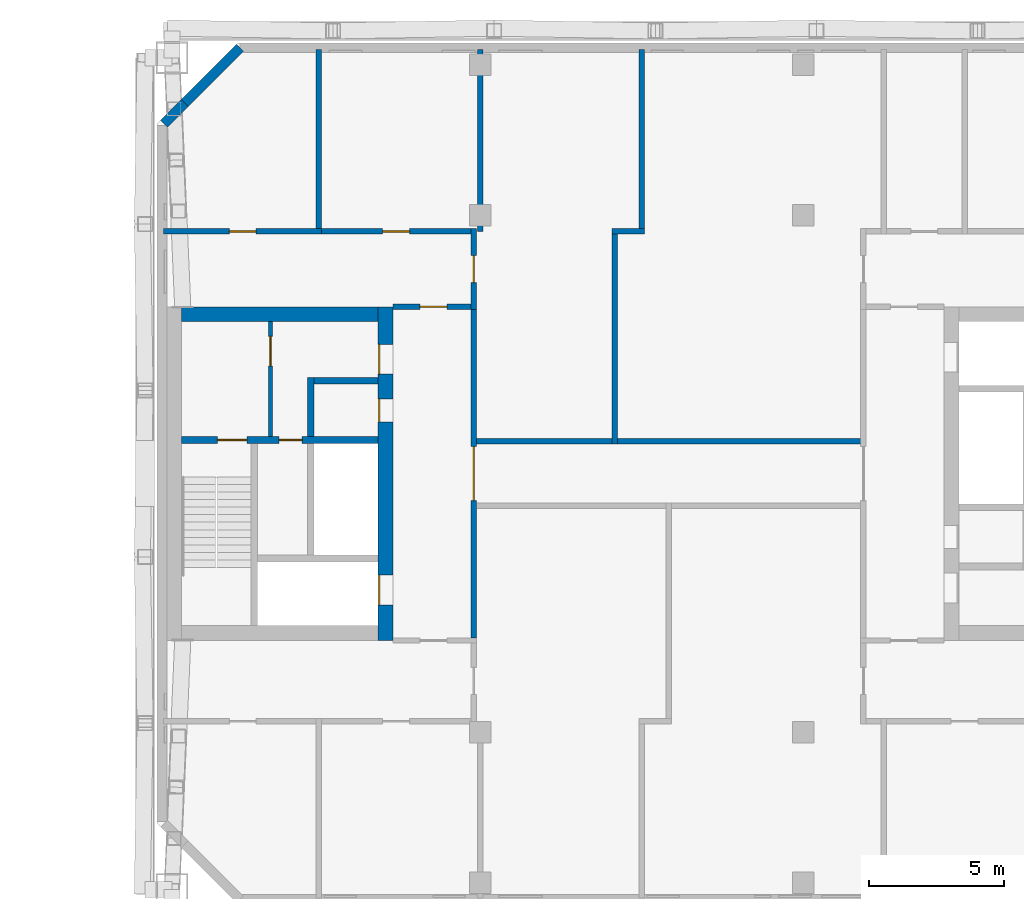
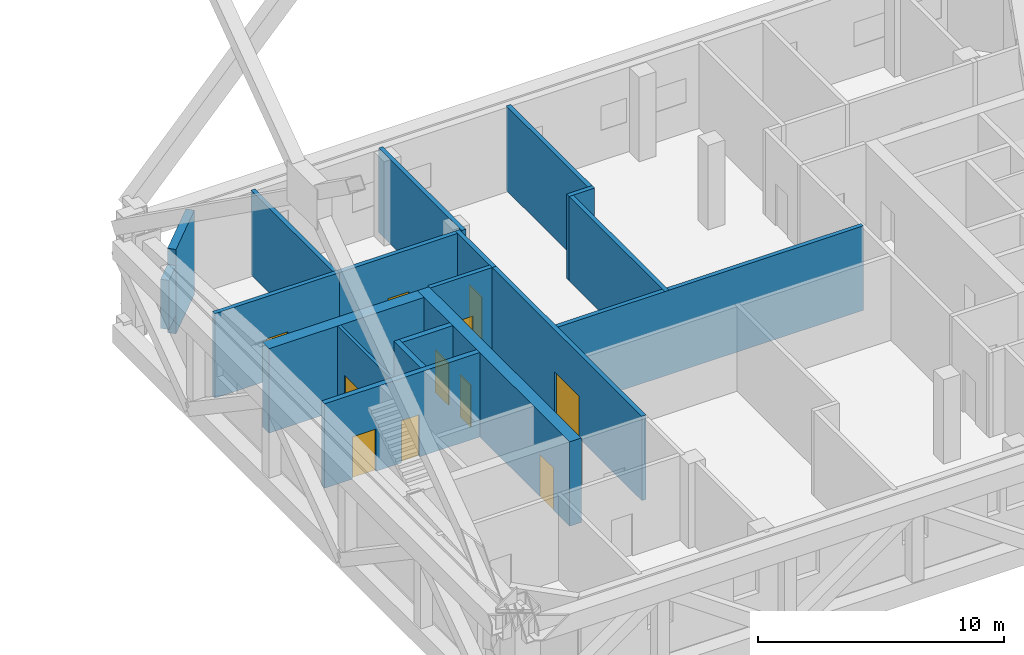
# One storey, part 13 of 22: 19 walls, 11 doors, 11 openings.
"""IFC4 building model written with IfcOpenShell, lengths in metres."""

from ifc_helpers import new_model, si_unit, direction, frame, frame_2d, origin, place, context, subcontext, project, spatial, rectangle, extrude, material, layer, layer_set, type_object, element, fill, save


model = new_model("IFC4")

# Units and contexts
model_context = context("Model", 3, precision=1e-05, world=origin(), true_north=direction((0.0, 1.0)))
body_context = subcontext(model_context, "Body", "Model", "MODEL_VIEW")
ifc_project = project(units=[si_unit("LENGTHUNIT", "METRE"), si_unit("AREAUNIT", "SQUARE_METRE"), si_unit("VOLUMEUNIT", "CUBIC_METRE"), si_unit("PLANEANGLEUNIT", "RADIAN"), si_unit("MASSUNIT", "GRAM", prefix="KILO")], contexts=[model_context])

# Site, building, storey
site_placement = place(None, origin())
site = spatial("IfcSite", under=ifc_project, at=site_placement, CompositionType="ELEMENT")
building_placement = place(site_placement, origin())
building = spatial("IfcBuilding", under=site, at=building_placement, Name="Tuart Gate Housing", CompositionType="ELEMENT")
storey_placement = place(building_placement, frame((0.0, 0.0, 115.0)))
storey = spatial("IfcBuildingStorey", under=building, at=storey_placement, Name="L32", CompositionType="ELEMENT", Elevation=115.0)

# Walls
ifc_material_1 = material(Name="Brick", Category="masonry")
ifc_layer_1 = layer(ifc_material_1, 0.360107421875)
ifc_layer_set_1 = layer_set([ifc_layer_1], Name="Brick pier and spandrel wall 360")
wall_type_1 = type_object("IfcWallType", Name="Brick pier and spandrel wall 360", PredefinedType="STANDARD", material=ifc_layer_set_1)
wall_1_placement = place(storey_placement, frame((134.07470703125, 85.820068359375, 0.0), z_axis=(0.0, 0.0, 1.0), x_axis=(-0.707148882153, -0.707064677713, 0.0)))
element("IfcWall", 1, at=wall_1_placement, inside=storey, type_object=wall_type_1, Name="External wall B-NW L32", PredefinedType="STANDARD", context=body_context, shape_type="SweptSolid", body=[
    extrude(rectangle(XDim=2.8994140625, YDim=0.360107421875, at=frame_2d((1.44970703125, 0.0))), origin(), (0.0, 0.0, 1.0), 4.199951171875),
])
wall_2_placement = place(storey_placement, frame((132.0244140625, 83.77001953125, 0.952880859375), z_axis=(0.0, 0.0, 1.0), x_axis=(-0.706994764273, -0.707218780358, 0.0)))
element("IfcWall", 2, at=wall_2_placement, inside=storey, type_object=wall_type_1, Name="External wall B-NW L32", PredefinedType="STANDARD", context=body_context, shape_type="SweptSolid", body=[
    extrude(rectangle(XDim=1.08984375, YDim=0.360107421875, at=frame_2d((0.544921875, 0.0))), origin(), (0.0, 0.0, 1.0), 2.444091796875),
])

# Wall, opening, door
ifc_material_2 = material(Name="Plasterboard partition")
ifc_layer_2 = layer(ifc_material_2, 0.14990234375)
ifc_layer_set_2 = layer_set([ifc_layer_2], Name="Core partition 150")
wall_type_2 = type_object("IfcWallType", Name="Core partition 150", PredefinedType="PARTITIONING", material=ifc_layer_set_2)
wall_3_placement = place(storey_placement, frame((135.2099609375, 71.375, 0.0), z_axis=(0.0, 0.0, 1.0), x_axis=(0.0, 1.0, 0.0)))
wall_3 = element("IfcWall", 3, at=wall_3_placement, inside=storey, type_object=wall_type_2, Name="Core partition BG.6", PredefinedType="PARTITIONING", context=body_context, shape_type="SweptSolid", body=[
    extrude(rectangle(XDim=4.27490234375, YDim=0.14990234375, at=frame_2d((2.137451171875, 0.0))), origin(), (0.0, 0.0, 1.0), 4.199951171875),
])
opening_1_placement = place(wall_3_placement, frame((2.625, 0.0, 0.0)))
opening_1 = element("IfcOpeningElement", 4, at=opening_1_placement, cuts=wall_3, Name="Opening D3417", PredefinedType="OPENING", context=body_context, shape_type="SweptSolid", body=[
    extrude(rectangle(XDim=1.10009765625, YDim=2.10009765625, at=frame_2d((0.550048828125, 1.050048828125))), frame((0.0, 0.0849609375, 0.0), z_axis=(0.0, -1.0, 0.0), x_axis=(1.0, 0.0, 0.0)), (0.0, 0.0, 1.0), 0.169921875),
])
ifc_material_3 = material(Name="Steel fire door", Category="steel")
door_type_1 = type_object("IfcDoorType", Name="Lobby door 1100 x 2100 RH", OperationType="SINGLE_SWING_RIGHT", PredefinedType="DOOR", material=ifc_material_3)
door_1_placement = place(opening_1_placement, origin())
door_1 = element("IfcDoor", 5, at=door_1_placement, inside=storey, type_object=door_type_1, Name="Smoke lobby door BG.KD", OperationType="SINGLE_SWING_RIGHT", OverallHeight=2.10009765625, OverallWidth=1.10009765625, PredefinedType="DOOR", context=body_context, shape_type="SweptSolid", body=[
    extrude(rectangle(XDim=1.10009765625, YDim=2.10009765625, at=frame_2d((0.550048828125, 1.050048828125))), frame((0.0, 0.02490234375, 0.0), z_axis=(0.0, -1.0, 0.0), x_axis=(1.0, 0.0, 0.0)), (0.0, 0.0, 1.0), 0.050048828125),
])
fill(opening_1, door_1)

# Wall, openings, doors
ifc_material_4 = material(Name="Concrete C50", Category="concrete")
ifc_layer_3 = layer(ifc_material_4, 0.25)
ifc_layer_set_3 = layer_set([ifc_layer_3], Name="Core wall 250 C50")
wall_type_3 = type_object("IfcWallType", Name="Core wall 250 C50", PredefinedType="SHEAR", material=ifc_layer_set_3)
wall_4_placement = place(storey_placement, frame((139.2099609375, 71.25, 0.0), z_axis=(0.0, 0.0, 1.0), x_axis=(-1.0, 0.0, 0.0)))
wall_4 = element("IfcWall", 6, at=wall_4_placement, inside=storey, type_object=wall_type_3, Name="Core wall BG.2", PredefinedType="SHEAR", context=body_context, shape_type="SweptSolid", body=[
    extrude(rectangle(XDim=7.300048828125, YDim=0.25, at=frame_2d((3.64990234375, 0.0))), origin(), (0.0, 0.0, 1.0), 4.199951171875),
])
opening_2_placement = place(wall_4_placement, frame((4.875, 0.0, 0.0)))
opening_2 = element("IfcOpeningElement", 7, at=opening_2_placement, cuts=wall_4, Name="Opening D3419", PredefinedType="OPENING", context=body_context, shape_type="SweptSolid", body=[
    extrude(rectangle(XDim=1.10009765625, YDim=2.10009765625, at=frame_2d((0.550048828125, 1.050048828125))), frame((0.0, 0.135009765625, 0.0), z_axis=(0.0, -1.0, 0.0), x_axis=(1.0, 0.0, 0.0)), (0.0, 0.0, 1.0), 0.27001953125),
])
opening_3_placement = place(wall_4_placement, frame((2.824951171875, 0.0, 0.0)))
opening_3 = element("IfcOpeningElement", 8, at=opening_3_placement, cuts=wall_4, Name="Opening D3418", PredefinedType="OPENING", context=body_context, shape_type="SweptSolid", body=[
    extrude(rectangle(XDim=0.85009765625, YDim=2.10009765625, at=frame_2d((0.425048828125, 1.050048828125))), frame((0.0, 0.135009765625, 0.0), z_axis=(0.0, -1.0, 0.0), x_axis=(1.0, 0.0, 0.0)), (0.0, 0.0, 1.0), 0.27001953125),
])
ifc_material_5 = material(Name="Steel fire door", Category="steel")
door_type_2 = type_object("IfcDoorType", Name="Riser door 850 x 2100", OperationType="SINGLE_SWING_LEFT", PredefinedType="DOOR", material=ifc_material_5)
door_2_placement = place(opening_3_placement, origin())
door_2 = element("IfcDoor", 9, at=door_2_placement, inside=storey, type_object=door_type_2, Name="Service room door BG.W1", OperationType="SINGLE_SWING_LEFT", OverallHeight=2.10009765625, OverallWidth=0.85009765625, PredefinedType="DOOR", context=body_context, shape_type="SweptSolid", body=[
    extrude(rectangle(XDim=0.85009765625, YDim=2.10009765625, at=frame_2d((0.425048828125, 1.050048828125))), frame((0.0, 0.02490234375, 0.0), z_axis=(0.0, -1.0, 0.0), x_axis=(1.0, 0.0, 0.0)), (0.0, 0.0, 1.0), 0.050048828125),
])
fill(opening_3, door_2)
ifc_material_6 = material(Name="Steel fire door", Category="steel")
door_type_3 = type_object("IfcDoorType", Name="Stair door 1100 x 2100", OperationType="SINGLE_SWING_LEFT", PredefinedType="DOOR", material=ifc_material_6)
door_3_placement = place(opening_2_placement, origin())
door_3 = element("IfcDoor", 10, at=door_3_placement, inside=storey, type_object=door_type_3, Name="Stair door BG.SD", OperationType="SINGLE_SWING_LEFT", OverallHeight=2.10009765625, OverallWidth=1.10009765625, PredefinedType="DOOR", context=body_context, shape_type="SweptSolid", body=[
    extrude(rectangle(XDim=1.10009765625, YDim=2.10009765625, at=frame_2d((0.550048828125, 1.050048828125))), frame((0.0, 0.02490234375, 0.0), z_axis=(0.0, -1.0, 0.0), x_axis=(1.0, 0.0, 0.0)), (0.0, 0.0, 1.0), 0.050048828125),
])
fill(opening_2, door_3)

# Walls
wall_5_placement = place(storey_placement, frame((139.2099609375, 73.449951171875, 0.0), z_axis=(0.0, 0.0, 1.0), x_axis=(-1.0, 0.0, 0.0)))
element("IfcWall", 11, at=wall_5_placement, inside=storey, type_object=wall_type_3, Name="Core wall BG.3", PredefinedType="SHEAR", context=body_context, shape_type="SweptSolid", body=[
    extrude(rectangle(XDim=2.375, YDim=0.25, at=frame_2d((1.1875, 0.0))), origin(), (0.0, 0.0, 1.0), 4.199951171875),
])
wall_6_placement = place(storey_placement, frame((136.7099609375, 71.375, 0.0), z_axis=(0.0, 0.0, 1.0), x_axis=(0.0, 1.0, 0.0)))
element("IfcWall", 12, at=wall_6_placement, inside=storey, type_object=wall_type_3, Name="Core wall BG.5", PredefinedType="SHEAR", context=body_context, shape_type="SweptSolid", body=[
    extrude(rectangle(XDim=2.199951171875, YDim=0.25, at=frame_2d((1.10009765625, 0.0))), origin(), (0.0, 0.0, 1.0), 4.199951171875),
])

# Wall, openings, doors
ifc_material_7 = material(Name="Concrete C50", Category="concrete")
ifc_layer_4 = layer(ifc_material_7, 0.550048828125)
ifc_layer_set_4 = layer_set([ifc_layer_4], Name="Core wall 550 C50")
wall_type_4 = type_object("IfcWallType", Name="Core wall 550 C50", PredefinedType="SHEAR", material=ifc_layer_set_4)
wall_7_placement = place(storey_placement, frame((139.485107421875, 63.800048828125, 0.0), z_axis=(0.0, 0.0, 1.0), x_axis=(0.0, 1.0, 0.0)))
wall_7 = element("IfcWall", 13, at=wall_7_placement, inside=storey, type_object=wall_type_4, Name="Core wall BG front", PredefinedType="SHEAR", context=body_context, shape_type="SweptSolid", body=[
    extrude(rectangle(XDim=12.39990234375, YDim=0.550048828125, at=frame_2d((6.199951171875, 0.0))), origin(), (0.0, 0.0, 1.0), 4.199951171875),
])
opening_4_placement = place(wall_7_placement, frame((1.324951171875, 0.0, 0.0)))
opening_4 = element("IfcOpeningElement", 14, at=opening_4_placement, cuts=wall_7, Name="Opening LD-FB1", PredefinedType="OPENING", context=body_context, shape_type="SweptSolid", body=[
    extrude(rectangle(XDim=1.10009765625, YDim=2.10009765625, at=frame_2d((0.550048828125, 1.050048828125))), frame((0.0, 0.284912109375, 0.0), z_axis=(0.0, -1.0, 0.0), x_axis=(1.0, 0.0, 0.0)), (0.0, 0.0, 1.0), 0.570068359375),
])
opening_5_placement = place(wall_7_placement, frame((9.89990234375, 0.0, 0.0)))
opening_5 = element("IfcOpeningElement", 15, at=opening_5_placement, cuts=wall_7, Name="Opening D3421", PredefinedType="OPENING", context=body_context, shape_type="SweptSolid", body=[
    extrude(rectangle(XDim=1.10009765625, YDim=2.10009765625, at=frame_2d((0.550048828125, 1.050048828125))), frame((0.0, 0.284912109375, 0.0), z_axis=(0.0, -1.0, 0.0), x_axis=(1.0, 0.0, 0.0)), (0.0, 0.0, 1.0), 0.570068359375),
])
opening_6_placement = place(wall_7_placement, frame((8.125, 0.0, 0.0)))
opening_6 = element("IfcOpeningElement", 16, at=opening_6_placement, cuts=wall_7, Name="Opening D3422", PredefinedType="OPENING", context=body_context, shape_type="SweptSolid", body=[
    extrude(rectangle(XDim=0.85009765625, YDim=2.10009765625, at=frame_2d((0.425048828125, 1.050048828125))), frame((0.0, 0.284912109375, 0.0), z_axis=(0.0, -1.0, 0.0), x_axis=(1.0, 0.0, 0.0)), (0.0, 0.0, 1.0), 0.570068359375),
])
ifc_material_8 = material(Name="Stainless steel", Category="steel")
door_type_4 = type_object("IfcDoorType", Name="Landing door 1100 x 2100", OperationType="DOUBLE_DOOR_SLIDING", PredefinedType="DOOR", material=ifc_material_8)
door_4_placement = place(opening_4_placement, origin())
door_4 = element("IfcDoor", 17, at=door_4_placement, inside=storey, type_object=door_type_4, Name="Lift landing door FB1", OperationType="DOUBLE_DOOR_SLIDING", OverallHeight=2.10009765625, OverallWidth=1.10009765625, PredefinedType="DOOR", context=body_context, shape_type="SweptSolid", body=[
    extrude(rectangle(XDim=1.10009765625, YDim=2.10009765625, at=frame_2d((0.550048828125, 1.050048828125))), frame((0.0, 0.26025390625, 0.0), z_axis=(0.0, -1.0, 0.0), x_axis=(1.0, 0.0, 0.0)), (0.0, 0.0, 1.0), 0.050048828125),
])
fill(opening_4, door_4)
ifc_material_9 = material(Name="Steel fire door", Category="steel")
door_type_5 = type_object("IfcDoorType", Name="Lobby door 1100 x 2100", OperationType="SINGLE_SWING_LEFT", PredefinedType="DOOR", material=ifc_material_9)
door_5_placement = place(opening_5_placement, origin())
door_5 = element("IfcDoor", 18, at=door_5_placement, inside=storey, type_object=door_type_5, Name="Lobby entry door BG.EN", OperationType="SINGLE_SWING_LEFT", OverallHeight=2.10009765625, OverallWidth=1.10009765625, PredefinedType="DOOR", context=body_context, shape_type="SweptSolid", body=[
    extrude(rectangle(XDim=1.10009765625, YDim=2.10009765625, at=frame_2d((0.550048828125, 1.050048828125))), frame((0.0, 0.26025390625, 0.0), z_axis=(0.0, -1.0, 0.0), x_axis=(1.0, 0.0, 0.0)), (0.0, 0.0, 1.0), 0.050048828125),
])
fill(opening_5, door_5)
ifc_material_10 = material(Name="Steel fire door", Category="steel")
door_type_6 = type_object("IfcDoorType", Name="Service door 850 x 2100", OperationType="SINGLE_SWING_LEFT", PredefinedType="DOOR", material=ifc_material_10)
door_6_placement = place(opening_6_placement, origin())
door_6 = element("IfcDoor", 19, at=door_6_placement, inside=storey, type_object=door_type_6, Name="Service room door BG.T1", OperationType="SINGLE_SWING_LEFT", OverallHeight=2.10009765625, OverallWidth=0.85009765625, PredefinedType="DOOR", context=body_context, shape_type="SweptSolid", body=[
    extrude(rectangle(XDim=0.85009765625, YDim=2.10009765625, at=frame_2d((0.425048828125, 1.050048828125))), frame((0.0, 0.26025390625, 0.0), z_axis=(0.0, -1.0, 0.0), x_axis=(1.0, 0.0, 0.0)), (0.0, 0.0, 1.0), 0.050048828125),
])
fill(opening_6, door_6)

# Wall
wall_8_placement = place(storey_placement, frame((139.2099609375, 75.925048828125, 0.0), z_axis=(0.0, 0.0, 1.0), x_axis=(-1.0, 0.0, 0.0)))
element("IfcWall", 20, at=wall_8_placement, inside=storey, type_object=wall_type_4, Name="Core wall BG north", PredefinedType="SHEAR", context=body_context, shape_type="SweptSolid", body=[
    extrude(rectangle(XDim=7.300048828125, YDim=0.550048828125, at=frame_2d((3.64990234375, 0.0))), origin(), (0.0, 0.0, 1.0), 4.199951171875),
])

# Wall, opening, door
ifc_material_11 = material(Name="Concrete masonry 15 MPa", Category="masonry")
ifc_layer_5 = layer(ifc_material_11, 0.199951171875)
ifc_layer_set_5 = layer_set([ifc_layer_5], Name="Corridor wall masonry 200")
wall_type_5 = type_object("IfcWallType", Name="Corridor wall masonry 200", PredefinedType="PARTITIONING", material=ifc_layer_set_5)
wall_9_placement = place(storey_placement, frame((136.89990234375, 79.0, 0.0), z_axis=(0.0, 0.0, 1.0), x_axis=(1.0, 0.0, 0.0)))
wall_9 = element("IfcWall", 21, at=wall_9_placement, inside=storey, type_object=wall_type_5, Name="Corridor wall masonry 200", PredefinedType="PARTITIONING", context=body_context, shape_type="SweptSolid", body=[
    extrude(rectangle(XDim=5.962158203125, YDim=0.199951171875, at=frame_2d((2.98095703125, 0.0))), origin(), (0.0, 0.0, 1.0), 4.199951171875),
])
opening_7_placement = place(wall_9_placement, frame((2.48095703125, 0.0, 0.0)))
opening_7 = element("IfcOpeningElement", 22, at=opening_7_placement, cuts=wall_9, Name="Opening D3409", PredefinedType="OPENING", context=body_context, shape_type="SweptSolid", body=[
    extrude(rectangle(XDim=1.0, YDim=2.10009765625, at=frame_2d((0.5, 1.050048828125))), frame((0.0, 0.10986328125, 0.0), z_axis=(0.0, -1.0, 0.0), x_axis=(1.0, 0.0, 0.0)), (0.0, 0.0, 1.0), 0.219970703125),
])
ifc_material_12 = material(Name="Timber door leaf in steel frame", Category="steel")
door_type_7 = type_object("IfcDoorType", Name="Fire door 1000", OperationType="SINGLE_SWING_LEFT", PredefinedType="DOOR", material=ifc_material_12)
door_7_placement = place(opening_7_placement, origin())
door_7 = element("IfcDoor", 23, at=door_7_placement, inside=storey, type_object=door_type_7, Name="Fire door 1000", OperationType="SINGLE_SWING_LEFT", OverallHeight=2.10009765625, OverallWidth=1.0, PredefinedType="DOOR", context=body_context, shape_type="SweptSolid", body=[
    extrude(rectangle(XDim=1.0, YDim=2.10009765625, at=frame_2d((0.5, 1.050048828125))), frame((0.0, 0.02490234375, 0.0), z_axis=(0.0, -1.0, 0.0), x_axis=(1.0, 0.0, 0.0)), (0.0, 0.0, 1.0), 0.050048828125),
])
fill(opening_7, door_7)

# Wall
ifc_material_13 = material(Name="Concrete masonry 15 MPa", Category="masonry")
ifc_layer_6 = layer(ifc_material_13, 0.199951171875)
ifc_layer_set_6 = layer_set([ifc_layer_6], Name="Enclosure wall masonry 200")
wall_type_6 = type_object("IfcWallType", Name="Enclosure wall masonry 200", PredefinedType="PARTITIONING", material=ifc_layer_set_6)
wall_10_placement = place(storey_placement, frame((142.760009765625, 71.199951171875, 0.0), z_axis=(0.0, 0.0, 1.0), x_axis=(1.0, 0.0, 0.0)))
element("IfcWall", 24, at=wall_10_placement, inside=storey, type_object=wall_type_6, Name="Enclosure wall masonry 200", PredefinedType="PARTITIONING", context=body_context, shape_type="SweptSolid", body=[
    extrude(rectangle(XDim=14.47998046875, YDim=0.199951171875, at=frame_2d((7.239990234375, 0.0))), origin(), (0.0, 0.0, 1.0), 4.199951171875),
])

# Wall, opening, door
wall_11_placement = place(storey_placement, frame((139.760009765625, 76.199951171875, 0.0), z_axis=(0.0, 0.0, 1.0), x_axis=(1.0, 0.0, 0.0)))
wall_11 = element("IfcWall", 25, at=wall_11_placement, inside=storey, type_object=wall_type_6, Name="Enclosure wall masonry 200", PredefinedType="PARTITIONING", context=body_context, shape_type="SweptSolid", body=[
    extrude(rectangle(XDim=3.10009765625, YDim=0.199951171875, at=frame_2d((1.550048828125, 0.0))), origin(), (0.0, 0.0, 1.0), 4.199951171875),
])
opening_8_placement = place(wall_11_placement, frame((1.0, 0.0, 0.0)))
opening_8 = element("IfcOpeningElement", 26, at=opening_8_placement, cuts=wall_11, Name="Opening D3415", PredefinedType="OPENING", context=body_context, shape_type="SweptSolid", body=[
    extrude(rectangle(XDim=1.0, YDim=2.10009765625, at=frame_2d((0.5, 1.050048828125))), frame((0.0, 0.10986328125, 0.0), z_axis=(0.0, -1.0, 0.0), x_axis=(1.0, 0.0, 0.0)), (0.0, 0.0, 1.0), 0.219970703125),
])
ifc_material_14 = material(Name="Timber door leaf in steel frame", Category="steel")
door_type_8 = type_object("IfcDoorType", Name="Lobby door 1000", OperationType="SINGLE_SWING_LEFT", PredefinedType="DOOR", material=ifc_material_14)
door_8_placement = place(opening_8_placement, frame((1.0, 0.0, 0.0), z_axis=(0.0, 0.0, 1.0), x_axis=(-1.0, 0.0, 0.0)))
door_8 = element("IfcDoor", 27, at=door_8_placement, inside=storey, type_object=door_type_8, Name="Lobby door 1000", OperationType="SINGLE_SWING_LEFT", OverallHeight=2.10009765625, OverallWidth=1.0, PredefinedType="DOOR", context=body_context, shape_type="SweptSolid", body=[
    extrude(rectangle(XDim=1.0, YDim=2.10009765625, at=frame_2d((0.5, 1.050048828125))), frame((0.0, 0.025146484375, 0.0), z_axis=(0.0, -1.0, 0.0), x_axis=(1.0, 0.0, 0.0)), (0.0, 0.0, 1.0), 0.050048828125),
])
fill(opening_8, door_8)

wall_12_placement = place(storey_placement, frame((131.239990234375, 79.0, 0.0), z_axis=(0.0, 0.0, 1.0), x_axis=(1.0, 0.0, 0.0)))
wall_12 = element("IfcWall", 28, at=wall_12_placement, inside=storey, type_object=wall_type_6, Name="Enclosure wall masonry 200", PredefinedType="PARTITIONING", context=body_context, shape_type="SweptSolid", body=[
    extrude(rectangle(XDim=5.860107421875, YDim=0.199951171875, at=frame_2d((2.93017578125, 0.0))), origin(), (0.0, 0.0, 1.0), 4.199951171875),
])
opening_9_placement = place(wall_12_placement, frame((2.43994140625, 0.0, 0.0)))
opening_9 = element("IfcOpeningElement", 29, at=opening_9_placement, cuts=wall_12, Name="Opening D3408", PredefinedType="OPENING", context=body_context, shape_type="SweptSolid", body=[
    extrude(rectangle(XDim=1.0, YDim=2.10009765625, at=frame_2d((0.5, 1.050048828125))), frame((0.0, 0.10986328125, 0.0), z_axis=(0.0, -1.0, 0.0), x_axis=(1.0, 0.0, 0.0)), (0.0, 0.0, 1.0), 0.219970703125),
])
door_9_placement = place(opening_9_placement, origin())
door_9 = element("IfcDoor", 30, at=door_9_placement, inside=storey, type_object=door_type_7, Name="Fire door 1000", OperationType="SINGLE_SWING_LEFT", OverallHeight=2.10009765625, OverallWidth=1.0, PredefinedType="DOOR", context=body_context, shape_type="SweptSolid", body=[
    extrude(rectangle(XDim=1.0, YDim=2.10009765625, at=frame_2d((0.5, 1.050048828125))), frame((0.0, 0.02490234375, 0.0), z_axis=(0.0, -1.0, 0.0), x_axis=(1.0, 0.0, 0.0)), (0.0, 0.0, 1.0), 0.050048828125),
])
fill(opening_9, door_9)

# Walls
wall_13_placement = place(storey_placement, frame((147.89990234375, 79.0, 0.0), z_axis=(0.0, 0.0, 1.0), x_axis=(1.0, 0.0, 0.0)))
element("IfcWall", 31, at=wall_13_placement, inside=storey, type_object=wall_type_6, Name="Enclosure wall masonry 200", PredefinedType="PARTITIONING", context=body_context, shape_type="SweptSolid", body=[
    extrude(rectangle(XDim=1.2001953125, YDim=0.199951171875, at=frame_2d((0.60009765625, 0.0))), origin(), (0.0, 0.0, 1.0), 4.199951171875),
])
wall_14_placement = place(storey_placement, frame((137.0, 78.89990234375, 0.0), z_axis=(0.0, 0.0, 1.0), x_axis=(0.0, 1.0, 0.0)))
element("IfcWall", 32, at=wall_14_placement, inside=storey, type_object=wall_type_6, Name="Enclosure wall masonry 200", PredefinedType="PARTITIONING", context=body_context, shape_type="SweptSolid", body=[
    extrude(rectangle(XDim=6.860107421875, YDim=0.199951171875, at=frame_2d((3.43017578125, 0.0))), origin(), (0.0, 0.0, 1.0), 4.199951171875),
])

# Wall, opening, door
wall_15_placement = place(storey_placement, frame((142.760009765625, 76.10009765625, 0.0), z_axis=(0.0, 0.0, 1.0), x_axis=(0.0, 1.0, 0.0)))
wall_15 = element("IfcWall", 33, at=wall_15_placement, inside=storey, type_object=wall_type_6, Name="Enclosure wall masonry 200", PredefinedType="PARTITIONING", context=body_context, shape_type="SweptSolid", body=[
    extrude(rectangle(XDim=3.0, YDim=0.199951171875, at=frame_2d((1.5, 0.0))), origin(), (0.0, 0.0, 1.0), 4.199951171875),
])
opening_10_placement = place(wall_15_placement, frame((1.0, 0.0, 0.0)))
opening_10 = element("IfcOpeningElement", 34, at=opening_10_placement, cuts=wall_15, Name="Opening D3413", PredefinedType="OPENING", context=body_context, shape_type="SweptSolid", body=[
    extrude(rectangle(XDim=1.0, YDim=2.10009765625, at=frame_2d((0.5, 1.050048828125))), frame((0.0, 0.10986328125, 0.0), z_axis=(0.0, -1.0, 0.0), x_axis=(1.0, 0.0, 0.0)), (0.0, 0.0, 1.0), 0.219970703125),
])
ifc_material_15 = material(Name="Timber door leaf in steel frame", Category="steel")
door_type_9 = type_object("IfcDoorType", Name="Fire door 1000 RH", OperationType="SINGLE_SWING_RIGHT", PredefinedType="DOOR", material=ifc_material_15)
door_10_placement = place(opening_10_placement, frame((1.0, 0.0, 0.0), z_axis=(0.0, 0.0, 1.0), x_axis=(-1.0, 0.0, 0.0)))
door_10 = element("IfcDoor", 35, at=door_10_placement, inside=storey, type_object=door_type_9, Name="Fire door 1000", OperationType="SINGLE_SWING_RIGHT", OverallHeight=2.10009765625, OverallWidth=1.0, PredefinedType="DOOR", context=body_context, shape_type="SweptSolid", body=[
    extrude(rectangle(XDim=1.0, YDim=2.10009765625, at=frame_2d((0.5, 1.050048828125))), frame((0.0, 0.025146484375, 0.0), z_axis=(0.0, -1.0, 0.0), x_axis=(1.0, 0.0, 0.0)), (0.0, 0.0, 1.0), 0.050048828125),
])
fill(opening_10, door_10)

# Walls
wall_16_placement = place(storey_placement, frame((143.0, 79.0, 0.0), z_axis=(0.0, 0.0, 1.0), x_axis=(0.0, 1.0, 0.0)))
element("IfcWall", 36, at=wall_16_placement, inside=storey, type_object=wall_type_6, Name="Enclosure wall masonry 200", PredefinedType="PARTITIONING", context=body_context, shape_type="SweptSolid", body=[
    extrude(rectangle(XDim=6.760009765625, YDim=0.199951171875, at=frame_2d((3.3798828125, 0.0))), origin(), (0.0, 0.0, 1.0), 4.199951171875),
])
wall_17_placement = place(storey_placement, frame((148.0, 71.10009765625, 0.0), z_axis=(0.0, 0.0, 1.0), x_axis=(0.0, 1.0, 0.0)))
element("IfcWall", 37, at=wall_17_placement, inside=storey, type_object=wall_type_6, Name="Enclosure wall masonry 200", PredefinedType="PARTITIONING", context=body_context, shape_type="SweptSolid", body=[
    extrude(rectangle(XDim=8.0, YDim=0.199951171875, at=frame_2d((4.0, 0.0))), origin(), (0.0, 0.0, 1.0), 4.199951171875),
])
wall_18_placement = place(storey_placement, frame((149.0, 78.89990234375, 0.0), z_axis=(0.0, 0.0, 1.0), x_axis=(0.0, 1.0, 0.0)))
element("IfcWall", 38, at=wall_18_placement, inside=storey, type_object=wall_type_6, Name="Enclosure wall masonry 200", PredefinedType="PARTITIONING", context=body_context, shape_type="SweptSolid", body=[
    extrude(rectangle(XDim=6.860107421875, YDim=0.199951171875, at=frame_2d((3.43017578125, 0.0))), origin(), (0.0, 0.0, 1.0), 4.199951171875),
])

# Wall, opening, door
ifc_material_16 = material(Name="Plasterboard partition")
ifc_layer_7 = layer(ifc_material_16, 0.199951171875)
ifc_layer_set_7 = layer_set([ifc_layer_7], Name="Lobby wall 200")
wall_type_7 = type_object("IfcWallType", Name="Lobby wall 200", PredefinedType="PARTITIONING", material=ifc_layer_set_7)
wall_19_placement = place(storey_placement, frame((142.760009765625, 63.89990234375, 0.0), z_axis=(0.0, 0.0, 1.0), x_axis=(0.0, 1.0, 0.0)))
wall_19 = element("IfcWall", 39, at=wall_19_placement, inside=storey, type_object=wall_type_7, Name="Lift lobby wall BG", PredefinedType="PARTITIONING", context=body_context, shape_type="SweptSolid", body=[
    extrude(rectangle(XDim=12.2001953125, YDim=0.199951171875, at=frame_2d((6.10009765625, 0.0))), origin(), (0.0, 0.0, 1.0), 4.199951171875),
])
opening_11_placement = place(wall_19_placement, frame((5.10009765625, 0.0, 0.0)))
opening_11 = element("IfcOpeningElement", 40, at=opening_11_placement, cuts=wall_19, Name="Opening D3423", PredefinedType="OPENING", context=body_context, shape_type="SweptSolid", body=[
    extrude(rectangle(XDim=2.0, YDim=2.10009765625, at=frame_2d((1.0, 1.050048828125))), frame((0.0, 0.10986328125, 0.0), z_axis=(0.0, -1.0, 0.0), x_axis=(1.0, 0.0, 0.0)), (0.0, 0.0, 1.0), 0.219970703125),
])
ifc_material_17 = material(Name="Steel fire door", Category="steel")
door_type_10 = type_object("IfcDoorType", Name="Smoke door 2000 x 2100", OperationType="DOUBLE_DOOR_SINGLE_SWING", PredefinedType="DOOR", material=ifc_material_17)
door_11_placement = place(opening_11_placement, origin())
door_11 = element("IfcDoor", 41, at=door_11_placement, inside=storey, type_object=door_type_10, Name="Lift lobby smoke door BG", OperationType="DOUBLE_DOOR_SINGLE_SWING", OverallHeight=2.10009765625, OverallWidth=2.0, PredefinedType="DOOR", context=body_context, shape_type="SweptSolid", body=[
    extrude(rectangle(XDim=2.0, YDim=2.10009765625, at=frame_2d((1.0, 1.050048828125))), frame((0.0, 0.02490234375, 0.0), z_axis=(0.0, -1.0, 0.0), x_axis=(1.0, 0.0, 0.0)), (0.0, 0.0, 1.0), 0.050048828125),
])
fill(opening_11, door_11)

save(model, "model.ifc")
